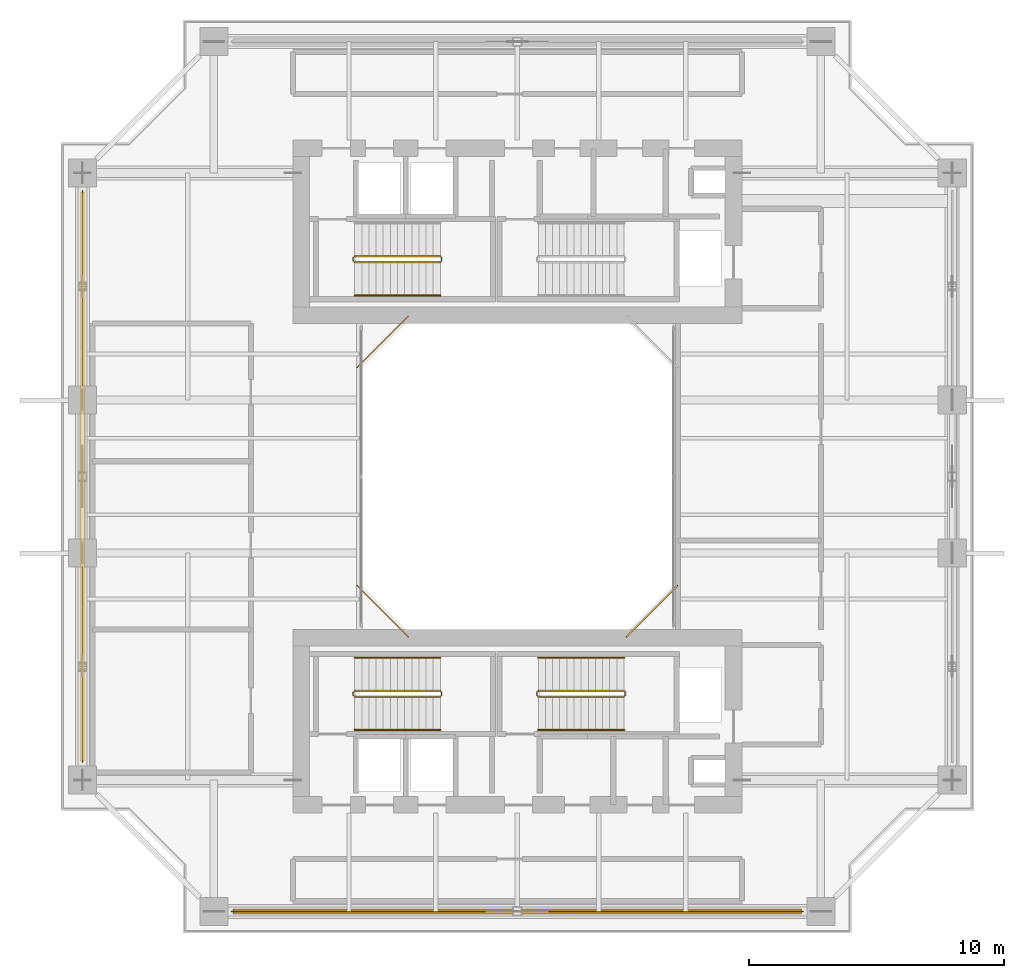
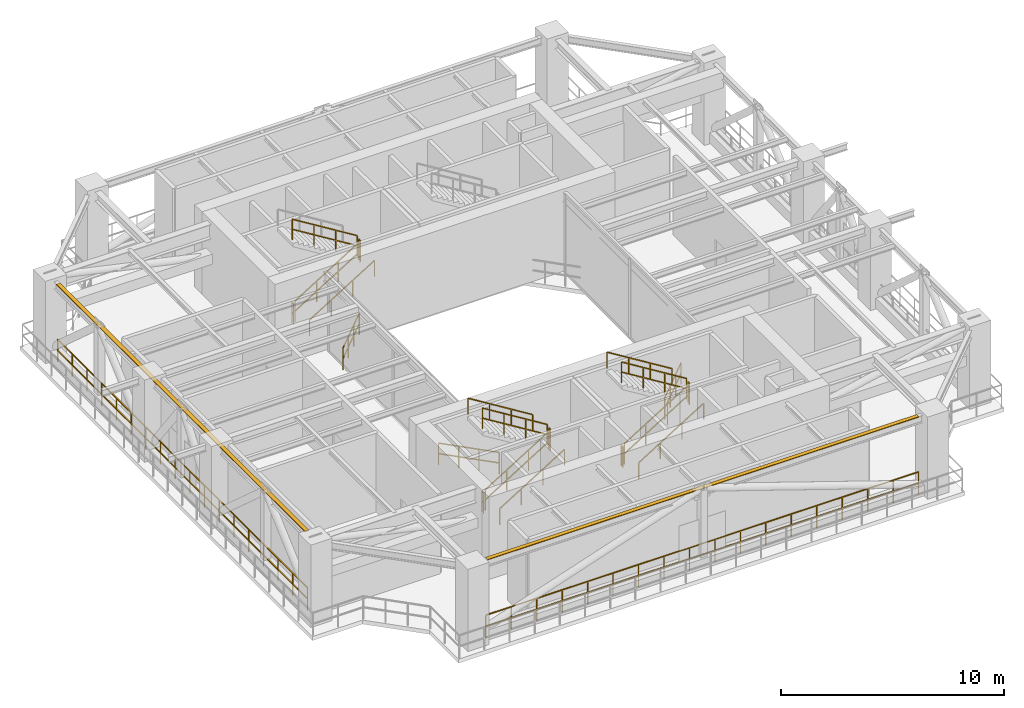
# One storey, part 9 of 11: 22 railings, 2 shading devices.
"""IFC4 building model written with IfcOpenShell, lengths in metres."""

from ifc_helpers import new_model, si_unit, direction, frame, origin, origin_2d, place, context, subcontext, project, spatial, rectangle, extrude, source, transform, mapped, material, material_profile, profile_set, type_object, element, save


model = new_model("IFC4")

# Units and contexts
model_context = context("Model", 3, precision=1e-05, world=origin(), true_north=direction((0.0, 1.0)))
body_context = subcontext(model_context, "Body", "Model", "MODEL_VIEW")
ifc_project = project(units=[si_unit("LENGTHUNIT", "METRE"), si_unit("AREAUNIT", "SQUARE_METRE"), si_unit("VOLUMEUNIT", "CUBIC_METRE"), si_unit("PLANEANGLEUNIT", "RADIAN"), si_unit("MASSUNIT", "GRAM", prefix="KILO"), si_unit("THERMODYNAMICTEMPERATUREUNIT", "KELVIN"), si_unit("POWERUNIT", "WATT")], contexts=[model_context])

# Site, building, storey
site_placement = place(None, origin())
site = spatial("IfcSite", under=ifc_project, at=site_placement, CompositionType="ELEMENT")
building_placement = place(site_placement, origin())
building = spatial("IfcBuilding", under=site, at=building_placement, Name="Qiaomeng Ring Towers", CompositionType="ELEMENT")
storey_placement = place(building_placement, frame((0.0, 0.0, 139.25)))
storey = spatial("IfcBuildingStorey", under=building, at=storey_placement, Name="L40", CompositionType="ELEMENT", Elevation=139.25)

# Railings
ifc_material_1 = material(Name="Low-E pale-green laminated safety glass", Category="glass")
railing_type_1 = type_object("IfcRailingType", Name="ARC-RL-BAL1", PredefinedType="BALUSTRADE", material=ifc_material_1)
railing_1_placement = place(storey_placement, frame((23.280029296875, 16.719970703125, 0.0)))
element("IfcRailing", 1, at=railing_1_placement, inside=storey, type_object=railing_type_1, Name="L40 Balustrade ARC-BAL-WELL1-L40-1", PredefinedType="BALUSTRADE", context=body_context, shape_type="SweptSolid", body=[
    extrude(rectangle(XDim=0.048095703125, YDim=0.048095703125, at=origin_2d()), frame((0.0, 0.0, 1.17578125), z_axis=(0.707106781187, 0.707106781187, 0.0), x_axis=(-0.707106781187, 0.707106781187, 0.0)), (0.0, 0.0, 1.0), 2.828369140625),
    extrude(rectangle(XDim=0.048095703125, YDim=0.048095703125, at=origin_2d()), frame((0.0, 0.0, 0.60009765625), z_axis=(0.707106781187, 0.707106781187, 0.0), x_axis=(-0.707106781187, 0.707106781187, 0.0)), (0.0, 0.0, 1.0), 2.828369140625),
    extrude(rectangle(XDim=0.0419921875, YDim=0.0419921875, at=origin_2d()), origin(), (0.0, 0.0, 1.0), 1.15185546875),
    extrude(rectangle(XDim=0.0419921875, YDim=0.0419921875, at=origin_2d()), frame((0.666748046875, 0.666748046875, 0.0)), (0.0, 0.0, 1.0), 1.15185546875),
    extrude(rectangle(XDim=0.0419921875, YDim=0.0419921875, at=origin_2d()), frame((1.333251953125, 1.333251953125, 0.0)), (0.0, 0.0, 1.0), 1.15185546875),
    extrude(rectangle(XDim=0.0419921875, YDim=0.0419921875, at=origin_2d()), frame((2.0, 2.0, 0.0)), (0.0, 0.0, 1.0), 1.15185546875),
])
railing_2_placement = place(storey_placement, frame((14.719970703125, 29.280029296875, 0.0)))
element("IfcRailing", 2, at=railing_2_placement, inside=storey, type_object=railing_type_1, Name="L40 Balustrade ARC-BAL-WELL1-L40-3", PredefinedType="BALUSTRADE", context=body_context, shape_type="SweptSolid", body=[
    extrude(rectangle(XDim=0.048095703125, YDim=0.048095703125, at=origin_2d()), frame((0.0, 0.0, 1.17578125), z_axis=(-0.707106781187, -0.707106781187, 0.0), x_axis=(0.707106781187, -0.707106781187, 0.0)), (0.0, 0.0, 1.0), 2.828369140625),
    extrude(rectangle(XDim=0.048095703125, YDim=0.048095703125, at=origin_2d()), frame((0.0, 0.0, 0.60009765625), z_axis=(-0.707106781187, -0.707106781187, 0.0), x_axis=(0.707106781187, -0.707106781187, 0.0)), (0.0, 0.0, 1.0), 2.828369140625),
    extrude(rectangle(XDim=0.0419921875, YDim=0.0419921875, at=origin_2d()), origin(), (0.0, 0.0, 1.0), 1.15185546875),
    extrude(rectangle(XDim=0.0419921875, YDim=0.0419921875, at=origin_2d()), frame((-0.666748046875, -0.666748046875, 0.0)), (0.0, 0.0, 1.0), 1.15185546875),
    extrude(rectangle(XDim=0.0419921875, YDim=0.0419921875, at=origin_2d()), frame((-1.333251953125, -1.333251953125, 0.0)), (0.0, 0.0, 1.0), 1.15185546875),
    extrude(rectangle(XDim=0.0419921875, YDim=0.0419921875, at=origin_2d()), frame((-2.0, -2.0, 0.0)), (0.0, 0.0, 1.0), 1.15185546875),
])
railing_3_placement = place(storey_placement, frame((12.719970703125, 18.719970703125, 0.0)))
element("IfcRailing", 3, at=railing_3_placement, inside=storey, type_object=railing_type_1, Name="L40 Balustrade ARC-BAL-WELL1-L40-4", PredefinedType="BALUSTRADE", context=body_context, shape_type="SweptSolid", body=[
    extrude(rectangle(XDim=0.048095703125, YDim=0.048095703125, at=origin_2d()), frame((0.0, 0.0, 1.17578125), z_axis=(0.707106781187, -0.707106781187, 0.0), x_axis=(0.707106781187, 0.707106781187, 0.0)), (0.0, 0.0, 1.0), 2.828369140625),
    extrude(rectangle(XDim=0.048095703125, YDim=0.048095703125, at=origin_2d()), frame((0.0, 0.0, 0.60009765625), z_axis=(0.707106781187, -0.707106781187, 0.0), x_axis=(0.707106781187, 0.707106781187, 0.0)), (0.0, 0.0, 1.0), 2.828369140625),
    extrude(rectangle(XDim=0.0419921875, YDim=0.0419921875, at=origin_2d()), origin(), (0.0, 0.0, 1.0), 1.15185546875),
    extrude(rectangle(XDim=0.0419921875, YDim=0.0419921875, at=origin_2d()), frame((0.666748046875, -0.666748046875, 0.0)), (0.0, 0.0, 1.0), 1.15185546875),
    extrude(rectangle(XDim=0.0419921875, YDim=0.0419921875, at=origin_2d()), frame((1.333251953125, -1.333251953125, 0.0)), (0.0, 0.0, 1.0), 1.15185546875),
    extrude(rectangle(XDim=0.0419921875, YDim=0.0419921875, at=origin_2d()), frame((2.0, -2.0, 0.0)), (0.0, 0.0, 1.0), 1.15185546875),
])
ifc_material_2 = material(Name="Stainless steel 316", Category="steel")
railing_type_2 = type_object("IfcRailingType", Name="ARC-RL-BAL2", PredefinedType="BALUSTRADE", material=ifc_material_2)
railing_4_placement = place(storey_placement, frame((7.800048828125, 5.949951171875, 0.0)))
element("IfcRailing", 4, at=railing_4_placement, inside=storey, type_object=railing_type_2, Name="L40 Open Refuge Band Perimeter Guard S", PredefinedType="BALUSTRADE", context=body_context, shape_type="SweptSolid", body=[
    extrude(rectangle(XDim=0.048095703125, YDim=0.048095703125, at=origin_2d()), frame((0.0, 0.0, 1.22607421875), z_axis=(1.0, 0.0, 0.0), x_axis=(0.0, 1.0, 0.0)), (0.0, 0.0, 1.0), 22.39990234375),
    extrude(rectangle(XDim=0.048095703125, YDim=0.048095703125, at=origin_2d()), frame((0.0, 0.0, 0.625), z_axis=(1.0, 0.0, 0.0), x_axis=(0.0, 1.0, 0.0)), (0.0, 0.0, 1.0), 22.39990234375),
    extrude(rectangle(XDim=0.0419921875, YDim=0.0419921875, at=origin_2d()), origin(), (0.0, 0.0, 1.0), 1.201904296875),
    extrude(rectangle(XDim=0.0419921875, YDim=0.0419921875, at=origin_2d()), frame((1.317626953125, 0.0, 0.0)), (0.0, 0.0, 1.0), 1.201904296875),
    extrude(rectangle(XDim=0.0419921875, YDim=0.0419921875, at=origin_2d()), frame((2.63525390625, 0.0, 0.0)), (0.0, 0.0, 1.0), 1.201904296875),
    extrude(rectangle(XDim=0.0419921875, YDim=0.0419921875, at=origin_2d()), frame((3.952880859375, 0.0, 0.0)), (0.0, 0.0, 1.0), 1.201904296875),
    extrude(rectangle(XDim=0.0419921875, YDim=0.0419921875, at=origin_2d()), frame((5.2705078125, 0.0, 0.0)), (0.0, 0.0, 1.0), 1.201904296875),
    extrude(rectangle(XDim=0.0419921875, YDim=0.0419921875, at=origin_2d()), frame((6.588134765625, 0.0, 0.0)), (0.0, 0.0, 1.0), 1.201904296875),
    extrude(rectangle(XDim=0.0419921875, YDim=0.0419921875, at=origin_2d()), frame((7.90576171875, 0.0, 0.0)), (0.0, 0.0, 1.0), 1.201904296875),
    extrude(rectangle(XDim=0.0419921875, YDim=0.0419921875, at=origin_2d()), frame((9.223388671875, 0.0, 0.0)), (0.0, 0.0, 1.0), 1.201904296875),
    extrude(rectangle(XDim=0.0419921875, YDim=0.0419921875, at=origin_2d()), frame((10.541015625, 0.0, 0.0)), (0.0, 0.0, 1.0), 1.201904296875),
    extrude(rectangle(XDim=0.0419921875, YDim=0.0419921875, at=origin_2d()), frame((11.85888671875, 0.0, 0.0)), (0.0, 0.0, 1.0), 1.201904296875),
    extrude(rectangle(XDim=0.0419921875, YDim=0.0419921875, at=origin_2d()), frame((13.176513671875, 0.0, 0.0)), (0.0, 0.0, 1.0), 1.201904296875),
    extrude(rectangle(XDim=0.0419921875, YDim=0.0419921875, at=origin_2d()), frame((14.494140625, 0.0, 0.0)), (0.0, 0.0, 1.0), 1.201904296875),
    extrude(rectangle(XDim=0.0419921875, YDim=0.0419921875, at=origin_2d()), frame((15.811767578125, 0.0, 0.0)), (0.0, 0.0, 1.0), 1.201904296875),
    extrude(rectangle(XDim=0.0419921875, YDim=0.0419921875, at=origin_2d()), frame((17.12939453125, 0.0, 0.0)), (0.0, 0.0, 1.0), 1.201904296875),
    extrude(rectangle(XDim=0.0419921875, YDim=0.0419921875, at=origin_2d()), frame((18.447021484375, 0.0, 0.0)), (0.0, 0.0, 1.0), 1.201904296875),
    extrude(rectangle(XDim=0.0419921875, YDim=0.0419921875, at=origin_2d()), frame((19.7646484375, 0.0, 0.0)), (0.0, 0.0, 1.0), 1.201904296875),
    extrude(rectangle(XDim=0.0419921875, YDim=0.0419921875, at=origin_2d()), frame((21.082275390625, 0.0, 0.0)), (0.0, 0.0, 1.0), 1.201904296875),
    extrude(rectangle(XDim=0.0419921875, YDim=0.0419921875, at=origin_2d()), frame((22.39990234375, 0.0, 0.0)), (0.0, 0.0, 1.0), 1.201904296875),
])
railing_5_placement = place(storey_placement, frame((1.949951171875, 34.199951171875, 0.0)))
element("IfcRailing", 5, at=railing_5_placement, inside=storey, type_object=railing_type_2, Name="L40 Open Refuge Band Perimeter Guard W", PredefinedType="BALUSTRADE", context=body_context, shape_type="SweptSolid", body=[
    extrude(rectangle(XDim=0.048095703125, YDim=0.048095703125, at=origin_2d()), frame((0.0, 0.0, 1.22607421875), z_axis=(0.0, -1.0, 0.0), x_axis=(1.0, 0.0, 0.0)), (0.0, 0.0, 1.0), 22.39990234375),
    extrude(rectangle(XDim=0.048095703125, YDim=0.048095703125, at=origin_2d()), frame((0.0, 0.0, 0.625), z_axis=(0.0, -1.0, 0.0), x_axis=(1.0, 0.0, 0.0)), (0.0, 0.0, 1.0), 22.39990234375),
    extrude(rectangle(XDim=0.0419921875, YDim=0.0419921875, at=origin_2d()), origin(), (0.0, 0.0, 1.0), 1.201904296875),
    extrude(rectangle(XDim=0.0419921875, YDim=0.0419921875, at=origin_2d()), frame((0.0, -1.317626953125, 0.0)), (0.0, 0.0, 1.0), 1.201904296875),
    extrude(rectangle(XDim=0.0419921875, YDim=0.0419921875, at=origin_2d()), frame((0.0, -2.63525390625, 0.0)), (0.0, 0.0, 1.0), 1.201904296875),
    extrude(rectangle(XDim=0.0419921875, YDim=0.0419921875, at=origin_2d()), frame((0.0, -3.952880859375, 0.0)), (0.0, 0.0, 1.0), 1.201904296875),
    extrude(rectangle(XDim=0.0419921875, YDim=0.0419921875, at=origin_2d()), frame((0.0, -5.2705078125, 0.0)), (0.0, 0.0, 1.0), 1.201904296875),
    extrude(rectangle(XDim=0.0419921875, YDim=0.0419921875, at=origin_2d()), frame((0.0, -6.588134765625, 0.0)), (0.0, 0.0, 1.0), 1.201904296875),
    extrude(rectangle(XDim=0.0419921875, YDim=0.0419921875, at=origin_2d()), frame((0.0, -7.90576171875, 0.0)), (0.0, 0.0, 1.0), 1.201904296875),
    extrude(rectangle(XDim=0.0419921875, YDim=0.0419921875, at=origin_2d()), frame((0.0, -9.223388671875, 0.0)), (0.0, 0.0, 1.0), 1.201904296875),
    extrude(rectangle(XDim=0.0419921875, YDim=0.0419921875, at=origin_2d()), frame((0.0, -10.541015625, 0.0)), (0.0, 0.0, 1.0), 1.201904296875),
    extrude(rectangle(XDim=0.0419921875, YDim=0.0419921875, at=origin_2d()), frame((0.0, -11.85888671875, 0.0)), (0.0, 0.0, 1.0), 1.201904296875),
    extrude(rectangle(XDim=0.0419921875, YDim=0.0419921875, at=origin_2d()), frame((0.0, -13.176513671875, 0.0)), (0.0, 0.0, 1.0), 1.201904296875),
    extrude(rectangle(XDim=0.0419921875, YDim=0.0419921875, at=origin_2d()), frame((0.0, -14.494140625, 0.0)), (0.0, 0.0, 1.0), 1.201904296875),
    extrude(rectangle(XDim=0.0419921875, YDim=0.0419921875, at=origin_2d()), frame((0.0, -15.811767578125, 0.0)), (0.0, 0.0, 1.0), 1.201904296875),
    extrude(rectangle(XDim=0.0419921875, YDim=0.0419921875, at=origin_2d()), frame((0.0, -17.12939453125, 0.0)), (0.0, 0.0, 1.0), 1.201904296875),
    extrude(rectangle(XDim=0.0419921875, YDim=0.0419921875, at=origin_2d()), frame((0.0, -18.447021484375, 0.0)), (0.0, 0.0, 1.0), 1.201904296875),
    extrude(rectangle(XDim=0.0419921875, YDim=0.0419921875, at=origin_2d()), frame((0.0, -19.7646484375, 0.0)), (0.0, 0.0, 1.0), 1.201904296875),
    extrude(rectangle(XDim=0.0419921875, YDim=0.0419921875, at=origin_2d()), frame((0.0, -21.082275390625, 0.0)), (0.0, 0.0, 1.0), 1.201904296875),
    extrude(rectangle(XDim=0.0419921875, YDim=0.0419921875, at=origin_2d()), frame((0.0, -22.39990234375, 0.0)), (0.0, 0.0, 1.0), 1.201904296875),
])
ifc_material_3 = material(Name="Galvanised steel", Category="steel")
railing_type_3 = type_object("IfcRailingType", Name="ARC-RL-GUARD", PredefinedType="GUARDRAIL", material=ifc_material_3)
railing_6_placement = place(storey_placement, frame((12.6201171875, 31.39990234375, 0.173095703125)))
element("IfcRailing", 6, at=railing_6_placement, inside=storey, type_object=railing_type_3, Name="L40 ST1 stair guard 1", PredefinedType="GUARDRAIL", context=body_context, shape_type="SweptSolid", body=[
    extrude(rectangle(XDim=0.048095703125, YDim=0.048095703125, at=origin_2d()), frame((0.0, 0.0, 1.1259765625), z_axis=(0.850606129759, 0.0, 0.525803396734), x_axis=(0.0, 1.0, 0.0)), (0.0, 0.0, 1.0), 3.949951171875),
    extrude(rectangle(XDim=0.048095703125, YDim=0.048095703125, at=origin_2d()), frame((0.0, 0.0, 0.574951171875), z_axis=(0.850606129759, 0.0, 0.525803396734), x_axis=(0.0, 1.0, 0.0)), (0.0, 0.0, 1.0), 3.949951171875),
    extrude(rectangle(XDim=0.0419921875, YDim=0.0419921875, at=origin_2d()), origin(), (0.0, 0.0, 1.0), 1.101806640625),
    extrude(rectangle(XDim=0.0419921875, YDim=0.0419921875, at=origin_2d()), frame((1.119873046875, 0.0, 0.6923828125)), (0.0, 0.0, 1.0), 1.101806640625),
    extrude(rectangle(XDim=0.0419921875, YDim=0.0419921875, at=origin_2d()), frame((2.239990234375, 0.0, 1.384521484375)), (0.0, 0.0, 1.0), 1.101806640625),
    extrude(rectangle(XDim=0.0419921875, YDim=0.0419921875, at=origin_2d()), frame((3.35986328125, 0.0, 2.076904296875)), (0.0, 0.0, 1.0), 1.101806640625),
])
railing_7_placement = place(storey_placement, frame((16.030029296875, 31.449951171875, 2.25)))
element("IfcRailing", 7, at=railing_7_placement, inside=storey, type_object=railing_type_3, Name="L40 ST1 stair guard 2", PredefinedType="GUARDRAIL", context=body_context, shape_type="SweptSolid", body=[
    extrude(rectangle(XDim=0.048095703125, YDim=0.048095703125, at=origin_2d()), frame((0.0, 0.0, 1.1259765625), z_axis=(0.0, 1.0, 0.0), x_axis=(-1.0, 0.0, 0.0)), (0.0, 0.0, 1.0), 0.14013671875),
    extrude(rectangle(XDim=0.048095703125, YDim=0.048095703125, at=origin_2d()), frame((0.0, 0.0, 0.574951171875), z_axis=(0.0, 1.0, 0.0), x_axis=(-1.0, 0.0, 0.0)), (0.0, 0.0, 1.0), 0.14013671875),
    extrude(rectangle(XDim=0.0419921875, YDim=0.0419921875, at=origin_2d()), origin(), (0.0, 0.0, 1.0), 1.101806640625),
    extrude(rectangle(XDim=0.0419921875, YDim=0.0419921875, at=origin_2d()), frame((0.0, 0.14013671875, 0.0)), (0.0, 0.0, 1.0), 1.101806640625),
])
railing_8_placement = place(storey_placement, frame((15.97998046875, 31.639892578125, 2.423095703125)))
element("IfcRailing", 8, at=railing_8_placement, inside=storey, type_object=railing_type_3, Name="L40 ST1 stair guard 3", PredefinedType="GUARDRAIL", context=body_context, shape_type="SweptSolid", body=[
    extrude(rectangle(XDim=0.048095703125, YDim=0.048095703125, at=origin_2d()), frame((0.0, 0.0, 1.1259765625), z_axis=(-0.850606129759, 0.0, 0.525803396734), x_axis=(0.0, -1.0, 0.0)), (0.0, 0.0, 1.0), 3.949951171875),
    extrude(rectangle(XDim=0.048095703125, YDim=0.048095703125, at=origin_2d()), frame((0.0, 0.0, 0.574951171875), z_axis=(-0.850606129759, 0.0, 0.525803396734), x_axis=(0.0, -1.0, 0.0)), (0.0, 0.0, 1.0), 3.949951171875),
    extrude(rectangle(XDim=0.0419921875, YDim=0.0419921875, at=origin_2d()), origin(), (0.0, 0.0, 1.0), 1.101806640625),
    extrude(rectangle(XDim=0.0419921875, YDim=0.0419921875, at=origin_2d()), frame((-1.119873046875, 0.0, 0.6923828125)), (0.0, 0.0, 1.0), 1.101806640625),
    extrude(rectangle(XDim=0.0419921875, YDim=0.0419921875, at=origin_2d()), frame((-2.239990234375, 0.0, 1.384521484375)), (0.0, 0.0, 1.0), 1.101806640625),
    extrude(rectangle(XDim=0.0419921875, YDim=0.0419921875, at=origin_2d()), frame((-3.35986328125, 0.0, 2.076904296875)), (0.0, 0.0, 1.0), 1.101806640625),
])
railing_9_placement = place(storey_placement, frame((12.570068359375, 31.449951171875, 0.0)))
element("IfcRailing", 9, at=railing_9_placement, inside=storey, type_object=railing_type_3, Name="L40 ST1 stair guard 4", PredefinedType="GUARDRAIL", context=body_context, shape_type="SweptSolid", body=[
    extrude(rectangle(XDim=0.048095703125, YDim=0.048095703125, at=origin_2d()), frame((0.0, 0.0, 1.1259765625), z_axis=(0.0, 1.0, 0.0), x_axis=(-1.0, 0.0, 0.0)), (0.0, 0.0, 1.0), 0.14013671875),
    extrude(rectangle(XDim=0.048095703125, YDim=0.048095703125, at=origin_2d()), frame((0.0, 0.0, 0.574951171875), z_axis=(0.0, 1.0, 0.0), x_axis=(-1.0, 0.0, 0.0)), (0.0, 0.0, 1.0), 0.14013671875),
    extrude(rectangle(XDim=0.0419921875, YDim=0.0419921875, at=origin_2d()), origin(), (0.0, 0.0, 1.0), 1.101806640625),
    extrude(rectangle(XDim=0.0419921875, YDim=0.0419921875, at=origin_2d()), frame((0.0, 0.14013671875, 0.0)), (0.0, 0.0, 1.0), 1.101806640625),
])
railing_10_placement = place(storey_placement, frame((12.6201171875, 14.360107421875, 0.173095703125)))
element("IfcRailing", 10, at=railing_10_placement, inside=storey, type_object=railing_type_3, Name="L40 ST3 stair guard 1", PredefinedType="GUARDRAIL", context=body_context, shape_type="SweptSolid", body=[
    extrude(rectangle(XDim=0.048095703125, YDim=0.048095703125, at=origin_2d()), frame((0.0, 0.0, 1.1259765625), z_axis=(0.850606129759, 0.0, 0.525803396734), x_axis=(0.0, 1.0, 0.0)), (0.0, 0.0, 1.0), 3.949951171875),
    extrude(rectangle(XDim=0.048095703125, YDim=0.048095703125, at=origin_2d()), frame((0.0, 0.0, 0.574951171875), z_axis=(0.850606129759, 0.0, 0.525803396734), x_axis=(0.0, 1.0, 0.0)), (0.0, 0.0, 1.0), 3.949951171875),
    extrude(rectangle(XDim=0.0419921875, YDim=0.0419921875, at=origin_2d()), origin(), (0.0, 0.0, 1.0), 1.101806640625),
    extrude(rectangle(XDim=0.0419921875, YDim=0.0419921875, at=origin_2d()), frame((1.119873046875, 0.0, 0.6923828125)), (0.0, 0.0, 1.0), 1.101806640625),
    extrude(rectangle(XDim=0.0419921875, YDim=0.0419921875, at=origin_2d()), frame((2.239990234375, 0.0, 1.384521484375)), (0.0, 0.0, 1.0), 1.101806640625),
    extrude(rectangle(XDim=0.0419921875, YDim=0.0419921875, at=origin_2d()), frame((3.35986328125, 0.0, 2.076904296875)), (0.0, 0.0, 1.0), 1.101806640625),
])
railing_11_placement = place(storey_placement, frame((16.030029296875, 14.409912109375, 2.25)))
element("IfcRailing", 11, at=railing_11_placement, inside=storey, type_object=railing_type_3, Name="L40 ST3 stair guard 2", PredefinedType="GUARDRAIL", context=body_context, shape_type="SweptSolid", body=[
    extrude(rectangle(XDim=0.048095703125, YDim=0.048095703125, at=origin_2d()), frame((0.0, 0.0, 1.1259765625), z_axis=(0.0, 1.0, 0.0), x_axis=(-1.0, 0.0, 0.0)), (0.0, 0.0, 1.0), 0.14013671875),
    extrude(rectangle(XDim=0.048095703125, YDim=0.048095703125, at=origin_2d()), frame((0.0, 0.0, 0.574951171875), z_axis=(0.0, 1.0, 0.0), x_axis=(-1.0, 0.0, 0.0)), (0.0, 0.0, 1.0), 0.14013671875),
    extrude(rectangle(XDim=0.0419921875, YDim=0.0419921875, at=origin_2d()), origin(), (0.0, 0.0, 1.0), 1.101806640625),
    extrude(rectangle(XDim=0.0419921875, YDim=0.0419921875, at=origin_2d()), frame((0.0, 0.14013671875, 0.0)), (0.0, 0.0, 1.0), 1.101806640625),
])
railing_12_placement = place(storey_placement, frame((15.97998046875, 14.60009765625, 2.423095703125)))
element("IfcRailing", 12, at=railing_12_placement, inside=storey, type_object=railing_type_3, Name="L40 ST3 stair guard 3", PredefinedType="GUARDRAIL", context=body_context, shape_type="SweptSolid", body=[
    extrude(rectangle(XDim=0.048095703125, YDim=0.048095703125, at=origin_2d()), frame((0.0, 0.0, 1.1259765625), z_axis=(-0.850606129759, 0.0, 0.525803396734), x_axis=(0.0, -1.0, 0.0)), (0.0, 0.0, 1.0), 3.949951171875),
    extrude(rectangle(XDim=0.048095703125, YDim=0.048095703125, at=origin_2d()), frame((0.0, 0.0, 0.574951171875), z_axis=(-0.850606129759, 0.0, 0.525803396734), x_axis=(0.0, -1.0, 0.0)), (0.0, 0.0, 1.0), 3.949951171875),
    extrude(rectangle(XDim=0.0419921875, YDim=0.0419921875, at=origin_2d()), origin(), (0.0, 0.0, 1.0), 1.101806640625),
    extrude(rectangle(XDim=0.0419921875, YDim=0.0419921875, at=origin_2d()), frame((-1.119873046875, 0.0, 0.6923828125)), (0.0, 0.0, 1.0), 1.101806640625),
    extrude(rectangle(XDim=0.0419921875, YDim=0.0419921875, at=origin_2d()), frame((-2.239990234375, 0.0, 1.384521484375)), (0.0, 0.0, 1.0), 1.101806640625),
    extrude(rectangle(XDim=0.0419921875, YDim=0.0419921875, at=origin_2d()), frame((-3.35986328125, 0.0, 2.076904296875)), (0.0, 0.0, 1.0), 1.101806640625),
])
railing_13_placement = place(storey_placement, frame((12.570068359375, 14.409912109375, 0.0)))
element("IfcRailing", 13, at=railing_13_placement, inside=storey, type_object=railing_type_3, Name="L40 ST3 stair guard 4", PredefinedType="GUARDRAIL", context=body_context, shape_type="SweptSolid", body=[
    extrude(rectangle(XDim=0.048095703125, YDim=0.048095703125, at=origin_2d()), frame((0.0, 0.0, 1.1259765625), z_axis=(0.0, 1.0, 0.0), x_axis=(-1.0, 0.0, 0.0)), (0.0, 0.0, 1.0), 0.14013671875),
    extrude(rectangle(XDim=0.048095703125, YDim=0.048095703125, at=origin_2d()), frame((0.0, 0.0, 0.574951171875), z_axis=(0.0, 1.0, 0.0), x_axis=(-1.0, 0.0, 0.0)), (0.0, 0.0, 1.0), 0.14013671875),
    extrude(rectangle(XDim=0.0419921875, YDim=0.0419921875, at=origin_2d()), origin(), (0.0, 0.0, 1.0), 1.101806640625),
    extrude(rectangle(XDim=0.0419921875, YDim=0.0419921875, at=origin_2d()), frame((0.0, 0.14013671875, 0.0)), (0.0, 0.0, 1.0), 1.101806640625),
])
railing_14_placement = place(storey_placement, frame((19.820068359375, 14.360107421875, 0.173095703125)))
element("IfcRailing", 14, at=railing_14_placement, inside=storey, type_object=railing_type_3, Name="L40 ST4 stair guard 1", PredefinedType="GUARDRAIL", context=body_context, shape_type="SweptSolid", body=[
    extrude(rectangle(XDim=0.048095703125, YDim=0.048095703125, at=origin_2d()), frame((0.0, 0.0, 1.1259765625), z_axis=(0.850606129759, 0.0, 0.525803396734), x_axis=(0.0, 1.0, 0.0)), (0.0, 0.0, 1.0), 3.949951171875),
    extrude(rectangle(XDim=0.048095703125, YDim=0.048095703125, at=origin_2d()), frame((0.0, 0.0, 0.574951171875), z_axis=(0.850606129759, 0.0, 0.525803396734), x_axis=(0.0, 1.0, 0.0)), (0.0, 0.0, 1.0), 3.949951171875),
    extrude(rectangle(XDim=0.0419921875, YDim=0.0419921875, at=origin_2d()), origin(), (0.0, 0.0, 1.0), 1.101806640625),
    extrude(rectangle(XDim=0.0419921875, YDim=0.0419921875, at=origin_2d()), frame((1.119873046875, 0.0, 0.6923828125)), (0.0, 0.0, 1.0), 1.101806640625),
    extrude(rectangle(XDim=0.0419921875, YDim=0.0419921875, at=origin_2d()), frame((2.239990234375, 0.0, 1.384521484375)), (0.0, 0.0, 1.0), 1.101806640625),
    extrude(rectangle(XDim=0.0419921875, YDim=0.0419921875, at=origin_2d()), frame((3.35986328125, 0.0, 2.076904296875)), (0.0, 0.0, 1.0), 1.101806640625),
])
railing_15_placement = place(storey_placement, frame((23.22998046875, 14.409912109375, 2.25)))
element("IfcRailing", 15, at=railing_15_placement, inside=storey, type_object=railing_type_3, Name="L40 ST4 stair guard 2", PredefinedType="GUARDRAIL", context=body_context, shape_type="SweptSolid", body=[
    extrude(rectangle(XDim=0.048095703125, YDim=0.048095703125, at=origin_2d()), frame((0.0, 0.0, 1.1259765625), z_axis=(0.0, 1.0, 0.0), x_axis=(-1.0, 0.0, 0.0)), (0.0, 0.0, 1.0), 0.14013671875),
    extrude(rectangle(XDim=0.048095703125, YDim=0.048095703125, at=origin_2d()), frame((0.0, 0.0, 0.574951171875), z_axis=(0.0, 1.0, 0.0), x_axis=(-1.0, 0.0, 0.0)), (0.0, 0.0, 1.0), 0.14013671875),
    extrude(rectangle(XDim=0.0419921875, YDim=0.0419921875, at=origin_2d()), origin(), (0.0, 0.0, 1.0), 1.101806640625),
    extrude(rectangle(XDim=0.0419921875, YDim=0.0419921875, at=origin_2d()), frame((0.0, 0.14013671875, 0.0)), (0.0, 0.0, 1.0), 1.101806640625),
])
railing_16_placement = place(storey_placement, frame((23.179931640625, 14.60009765625, 2.423095703125)))
element("IfcRailing", 16, at=railing_16_placement, inside=storey, type_object=railing_type_3, Name="L40 ST4 stair guard 3", PredefinedType="GUARDRAIL", context=body_context, shape_type="SweptSolid", body=[
    extrude(rectangle(XDim=0.048095703125, YDim=0.048095703125, at=origin_2d()), frame((0.0, 0.0, 1.1259765625), z_axis=(-0.850606129759, 0.0, 0.525803396734), x_axis=(0.0, -1.0, 0.0)), (0.0, 0.0, 1.0), 3.949951171875),
    extrude(rectangle(XDim=0.048095703125, YDim=0.048095703125, at=origin_2d()), frame((0.0, 0.0, 0.574951171875), z_axis=(-0.850606129759, 0.0, 0.525803396734), x_axis=(0.0, -1.0, 0.0)), (0.0, 0.0, 1.0), 3.949951171875),
    extrude(rectangle(XDim=0.0419921875, YDim=0.0419921875, at=origin_2d()), origin(), (0.0, 0.0, 1.0), 1.101806640625),
    extrude(rectangle(XDim=0.0419921875, YDim=0.0419921875, at=origin_2d()), frame((-1.119873046875, 0.0, 0.6923828125)), (0.0, 0.0, 1.0), 1.101806640625),
    extrude(rectangle(XDim=0.0419921875, YDim=0.0419921875, at=origin_2d()), frame((-2.239990234375, 0.0, 1.384521484375)), (0.0, 0.0, 1.0), 1.101806640625),
    extrude(rectangle(XDim=0.0419921875, YDim=0.0419921875, at=origin_2d()), frame((-3.35986328125, 0.0, 2.076904296875)), (0.0, 0.0, 1.0), 1.101806640625),
])
railing_17_placement = place(storey_placement, frame((19.77001953125, 14.409912109375, 0.0)))
element("IfcRailing", 17, at=railing_17_placement, inside=storey, type_object=railing_type_3, Name="L40 ST4 stair guard 4", PredefinedType="GUARDRAIL", context=body_context, shape_type="SweptSolid", body=[
    extrude(rectangle(XDim=0.048095703125, YDim=0.048095703125, at=origin_2d()), frame((0.0, 0.0, 1.1259765625), z_axis=(0.0, 1.0, 0.0), x_axis=(-1.0, 0.0, 0.0)), (0.0, 0.0, 1.0), 0.14013671875),
    extrude(rectangle(XDim=0.048095703125, YDim=0.048095703125, at=origin_2d()), frame((0.0, 0.0, 0.574951171875), z_axis=(0.0, 1.0, 0.0), x_axis=(-1.0, 0.0, 0.0)), (0.0, 0.0, 1.0), 0.14013671875),
    extrude(rectangle(XDim=0.0419921875, YDim=0.0419921875, at=origin_2d()), origin(), (0.0, 0.0, 1.0), 1.101806640625),
    extrude(rectangle(XDim=0.0419921875, YDim=0.0419921875, at=origin_2d()), frame((0.0, 0.14013671875, 0.0)), (0.0, 0.0, 1.0), 1.101806640625),
])
railing_type_4 = type_object("IfcRailingType", Name="ARC-RL-HAND", PredefinedType="HANDRAIL", material=ifc_material_2)
for number, where, name in (
    (18, (12.6201171875, 30.10009765625, 0.173095703125), "L40 ST1 stair handrail 1"),
    (19, (12.6201171875, 13.06005859375, 0.173095703125), "L40 ST3 stair handrail 1"),
):
    element("IfcRailing", number, at=place(storey_placement, frame(where)), inside=storey, type_object=railing_type_4, Name=name, PredefinedType="HANDRAIL", context=body_context, shape_type="SweptSolid", body=[
        extrude(rectangle(XDim=0.048095703125, YDim=0.048095703125, at=origin_2d()), frame((0.0, 0.0, 0.8759765625), z_axis=(0.850606129759, 0.0, 0.525803396734), x_axis=(0.0, 1.0, 0.0)), (0.0, 0.0, 1.0), 3.949951171875),
        extrude(rectangle(XDim=0.0419921875, YDim=0.0419921875, at=origin_2d()), origin(), (0.0, 0.0, 1.0), 0.851806640625),
        extrude(rectangle(XDim=0.0419921875, YDim=0.0419921875, at=origin_2d()), frame((1.119873046875, 0.0, 0.6923828125)), (0.0, 0.0, 1.0), 0.851806640625),
        extrude(rectangle(XDim=0.0419921875, YDim=0.0419921875, at=origin_2d()), frame((2.239990234375, 0.0, 1.384521484375)), (0.0, 0.0, 1.0), 0.851806640625),
        extrude(rectangle(XDim=0.0419921875, YDim=0.0419921875, at=origin_2d()), frame((3.35986328125, 0.0, 2.076904296875)), (0.0, 0.0, 1.0), 0.851806640625),
    ])
railing_18_placement = place(storey_placement, frame((15.97998046875, 15.89990234375, 2.423095703125)))
element("IfcRailing", 20, at=railing_18_placement, inside=storey, type_object=railing_type_4, Name="L40 ST3 stair handrail 2", PredefinedType="HANDRAIL", context=body_context, shape_type="SweptSolid", body=[
    extrude(rectangle(XDim=0.048095703125, YDim=0.048095703125, at=origin_2d()), frame((0.0, 0.0, 0.8759765625), z_axis=(-0.850606129759, 0.0, 0.525803396734), x_axis=(0.0, -1.0, 0.0)), (0.0, 0.0, 1.0), 3.949951171875),
    extrude(rectangle(XDim=0.0419921875, YDim=0.0419921875, at=origin_2d()), origin(), (0.0, 0.0, 1.0), 0.851806640625),
    extrude(rectangle(XDim=0.0419921875, YDim=0.0419921875, at=origin_2d()), frame((-1.119873046875, 0.0, 0.6923828125)), (0.0, 0.0, 1.0), 0.851806640625),
    extrude(rectangle(XDim=0.0419921875, YDim=0.0419921875, at=origin_2d()), frame((-2.239990234375, 0.0, 1.384521484375)), (0.0, 0.0, 1.0), 0.851806640625),
    extrude(rectangle(XDim=0.0419921875, YDim=0.0419921875, at=origin_2d()), frame((-3.35986328125, 0.0, 2.076904296875)), (0.0, 0.0, 1.0), 0.851806640625),
])
railing_19_placement = place(storey_placement, frame((19.820068359375, 13.06005859375, 0.173095703125)))
element("IfcRailing", 21, at=railing_19_placement, inside=storey, type_object=railing_type_4, Name="L40 ST4 stair handrail 1", PredefinedType="HANDRAIL", context=body_context, shape_type="SweptSolid", body=[
    extrude(rectangle(XDim=0.048095703125, YDim=0.048095703125, at=origin_2d()), frame((0.0, 0.0, 0.8759765625), z_axis=(0.850606129759, 0.0, 0.525803396734), x_axis=(0.0, 1.0, 0.0)), (0.0, 0.0, 1.0), 3.949951171875),
    extrude(rectangle(XDim=0.0419921875, YDim=0.0419921875, at=origin_2d()), origin(), (0.0, 0.0, 1.0), 0.851806640625),
    extrude(rectangle(XDim=0.0419921875, YDim=0.0419921875, at=origin_2d()), frame((1.119873046875, 0.0, 0.6923828125)), (0.0, 0.0, 1.0), 0.851806640625),
    extrude(rectangle(XDim=0.0419921875, YDim=0.0419921875, at=origin_2d()), frame((2.239990234375, 0.0, 1.384521484375)), (0.0, 0.0, 1.0), 0.851806640625),
    extrude(rectangle(XDim=0.0419921875, YDim=0.0419921875, at=origin_2d()), frame((3.35986328125, 0.0, 2.076904296875)), (0.0, 0.0, 1.0), 0.851806640625),
])
railing_20_placement = place(storey_placement, frame((23.179931640625, 15.89990234375, 2.423095703125)))
element("IfcRailing", 22, at=railing_20_placement, inside=storey, type_object=railing_type_4, Name="L40 ST4 stair handrail 2", PredefinedType="HANDRAIL", context=body_context, shape_type="SweptSolid", body=[
    extrude(rectangle(XDim=0.048095703125, YDim=0.048095703125, at=origin_2d()), frame((0.0, 0.0, 0.8759765625), z_axis=(-0.850606129759, 0.0, 0.525803396734), x_axis=(0.0, -1.0, 0.0)), (0.0, 0.0, 1.0), 3.949951171875),
    extrude(rectangle(XDim=0.0419921875, YDim=0.0419921875, at=origin_2d()), origin(), (0.0, 0.0, 1.0), 0.851806640625),
    extrude(rectangle(XDim=0.0419921875, YDim=0.0419921875, at=origin_2d()), frame((-1.119873046875, 0.0, 0.6923828125)), (0.0, 0.0, 1.0), 0.851806640625),
    extrude(rectangle(XDim=0.0419921875, YDim=0.0419921875, at=origin_2d()), frame((-2.239990234375, 0.0, 1.384521484375)), (0.0, 0.0, 1.0), 0.851806640625),
    extrude(rectangle(XDim=0.0419921875, YDim=0.0419921875, at=origin_2d()), frame((-3.35986328125, 0.0, 2.076904296875)), (0.0, 0.0, 1.0), 0.851806640625),
])

# Shading devices
ifc_material_profile = material_profile(ifc_material_2, rectangle(XDim=0.199951171875, YDim=0.0400390625, at=origin_2d()), Name="LV BLADE 200x40")
ifc_profile_set = profile_set([ifc_material_profile], Name="Stainless steel 316")
shading_device_type = type_object("IfcShadingDeviceType", Name="ARC-SHD-LOUVRE", PredefinedType="JALOUSIE", material=ifc_profile_set)
shared_shape = source(origin(), body_context, "Body", "SweptSolid", [
    extrude(rectangle(XDim=0.199951171875, YDim=0.0400390625, at=origin_2d()), origin(), (0.0, 0.0, 1.0), 22.2998046875),
])
for number, where, z_axis, x_axis, name in (
    (23, (7.85009765625, 5.949951171875, 4.300048828125), (1.0, 0.0, 0.0), (0.0, 1.0, 0.0), "L40 Stainless Acoustic Intake Louvre S"),
    (24, (1.949951171875, 34.14990234375, 4.300048828125), (0.0, -1.0, 0.0), (1.0, 0.0, 0.0), "L40 Stainless Acoustic Intake Louvre W"),
):
    element("IfcShadingDevice", number, at=place(storey_placement, frame(where, z_axis=z_axis, x_axis=x_axis)), inside=storey, type_object=shading_device_type, Name=name, PredefinedType="JALOUSIE", context=body_context, shape_type="MappedRepresentation", body=[
        mapped(shared_shape, transform((0.0, 0.0, 0.0), x_axis=(1.0, 0.0, 0.0), y_axis=(0.0, 1.0, 0.0), z_axis=(0.0, 0.0, 1.0), scale=1.0)),
    ])

save(model, "model.ifc")
